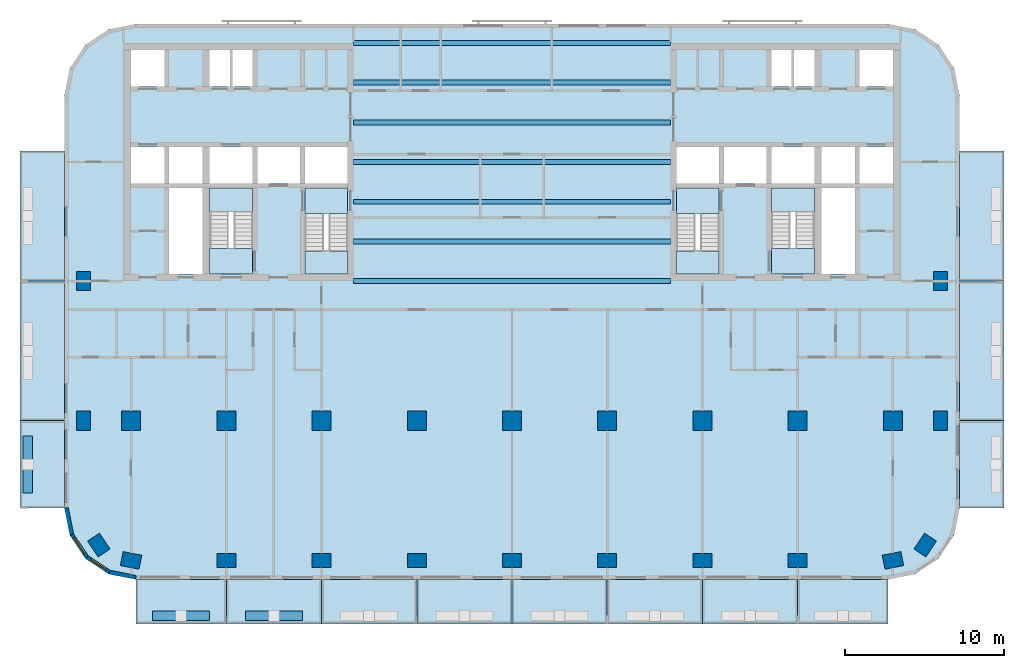
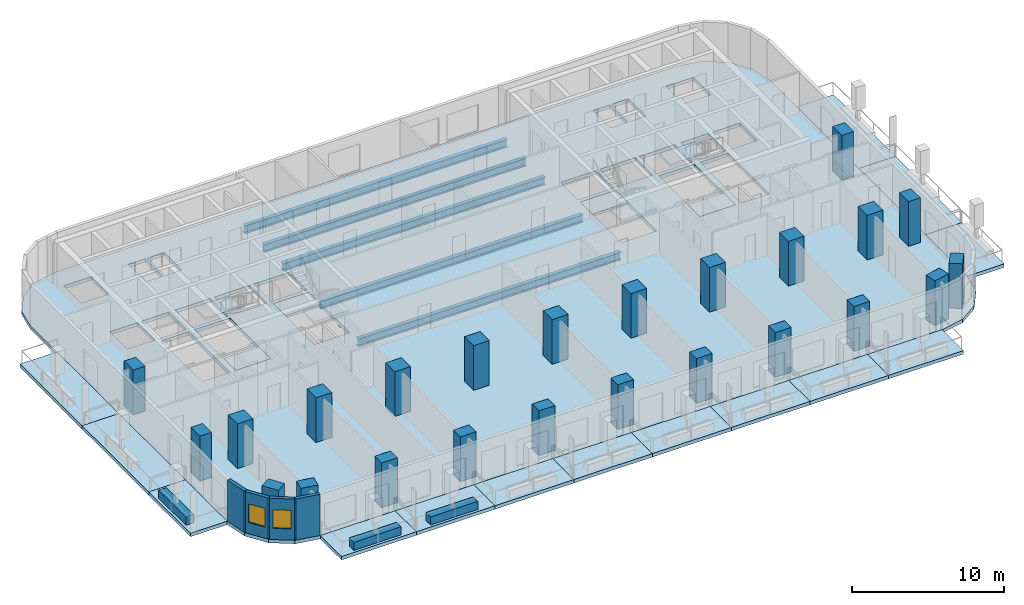
# One storey, part 1 of 11: 24 columns, 23 slabs, 7 beams, 7 walls, 2 windows, 2 openings, 4 elements without a shape of their own.
"""IFC4 building model written with IfcOpenShell, lengths in metres."""

import ifcopenshell
import ifcopenshell.guid

model = None  # the IFC model being written
_history = None  # IfcOwnerHistory: only IFC2X3 demands one
_inside = {}  # id of a spatial element -> (the spatial element, [elements in it])
_under = {}  # id of a project, library or spatial element -> (it, [spatial elements below it])
_declared = {}  # id of a project -> (the project, [libraries it declares])
_typed = {}  # id of a type object -> (the type object, [elements of that type])
_made_of = {}  # id of a material, layer set ... -> (it, [elements and type objects made of it])


def new_model(schema):
    """Start an empty IFC model of exactly this schema.

    Asked for "IFC4X3", IfcOpenShell would pick the latest addendum, in which some entities
    have other attributes; the version numbers below select the first issue.
    IFC2X3 requires an IfcOwnerHistory on every rooted entity: one is made here for all.
    """
    global model, _history
    if schema == "IFC4X3":
        model = ifcopenshell.file(schema_version=(4, 3, 0, 0))
    else:
        model = ifcopenshell.file(schema=schema)
    _inside.clear()
    _under.clear()
    _declared.clear()
    _typed.clear()
    _made_of.clear()
    _history = None
    if model.schema == "IFC2X3":
        org = make("IfcOrganization", Name="unknown")
        user = make(
            "IfcPersonAndOrganization",
            ThePerson=make("IfcPerson", FamilyName="unknown"),
            TheOrganization=org,
        )
        app = make(
            "IfcApplication",
            ApplicationDeveloper=org,
            Version="unknown",
            ApplicationFullName="unknown",
            ApplicationIdentifier="unknown",
        )
        _history = make(
            "IfcOwnerHistory",
            OwningUser=user,
            OwningApplication=app,
            ChangeAction="ADDED",
            CreationDate=0,
        )
    return model


def make(cls, **values):
    """One entity of the class cls with the attributes given. An attribute that is None is left unset."""
    return model.create_entity(
        cls, **{name: value for name, value in values.items() if value is not None}
    )


def rooted(cls, **values):
    """An entity with a GlobalId (a new one), such as an element, a storey or a relation."""
    return make(cls, GlobalId=ifcopenshell.guid.new(), OwnerHistory=_history, **values)


def si_unit(unit_type, name, prefix=None):
    """IfcSIUnit, for example si_unit("LENGTHUNIT", "METRE", prefix="MILLI")."""
    return make("IfcSIUnit", UnitType=unit_type, Prefix=prefix, Name=name)


def assignment(units):
    """IfcUnitAssignment: the units of a project."""
    return None if units is None else make("IfcUnitAssignment", Units=units)


def point(xyz):
    """IfcCartesianPoint."""
    return None if xyz is None else make("IfcCartesianPoint", Coordinates=xyz)


def direction(xyz):
    """IfcDirection."""
    return None if xyz is None else make("IfcDirection", DirectionRatios=xyz)


def frame(location, z_axis=None, x_axis=None):
    """IfcAxis2Placement3D, a coordinate frame: its origin and axes. An axis left out is left unset."""
    return make(
        "IfcAxis2Placement3D",
        Location=point(location),
        Axis=direction(z_axis),
        RefDirection=direction(x_axis),
    )


def frame_2d(location, x_axis=None):
    """IfcAxis2Placement2D, a coordinate frame in the plane: its origin and x axis."""
    return make(
        "IfcAxis2Placement2D", Location=point(location), RefDirection=direction(x_axis)
    )


def origin():
    """The frame at (0, 0, 0) with its axes left unset."""
    return frame((0.0, 0.0, 0.0))


def origin_2d():
    """The frame at (0, 0) in the plane with its x axis left unset."""
    return frame_2d((0.0, 0.0))


def place(relative_to, where):
    """IfcLocalPlacement: puts the frame where relative to a parent placement (None: the world)."""
    return make(
        "IfcLocalPlacement", PlacementRelTo=relative_to, RelativePlacement=where
    )


def context(
    kind, dimensions, precision=None, world=None, true_north=None, identifier=None
):
    """IfcGeometricRepresentationContext, for example the 3D "Model" context."""
    return make(
        "IfcGeometricRepresentationContext",
        ContextIdentifier=identifier,
        ContextType=kind,
        CoordinateSpaceDimension=dimensions,
        Precision=precision,
        WorldCoordinateSystem=world,
        TrueNorth=true_north,
    )


def subcontext(parent, identifier, kind, view, scale=None):
    """IfcGeometricRepresentationSubContext, for example "Body" below "Model"."""
    return make(
        "IfcGeometricRepresentationSubContext",
        ContextIdentifier=identifier,
        ContextType=kind,
        ParentContext=parent,
        TargetScale=scale,
        TargetView=view,
    )


def project(units=None, contexts=None):
    """IfcProject with its units and contexts."""
    return rooted(
        "IfcProject",
        Name="project",
        RepresentationContexts=contexts,
        UnitsInContext=assignment(units),
    )


def spatial(cls, under=None, at=None, **own):
    """A site, building, storey or space (cls), placed at a placement, below another one or the project."""
    s = rooted(cls, ObjectPlacement=at, **own)
    if under is not None:
        _under.setdefault(under.id(), (under, []))[1].append(s)
    return s


def polyline(points):
    """IfcPolyline through the points."""
    return make("IfcPolyline", Points=[point(p) for p in points])


def profile(cls, at=None, kind="AREA", **sizes):
    """A parametric profile (cls). Its sizes go by their IFC names, for example OverallWidth=200.0."""
    return make(cls, ProfileType=kind, Position=at, **sizes)


def rectangle(**sizes):
    """IfcRectangleProfileDef."""
    return profile("IfcRectangleProfileDef", **sizes)


def i_section(**sizes):
    """IfcIShapeProfileDef."""
    return profile("IfcIShapeProfileDef", **sizes)


def outline(outer, holes=None, kind="AREA"):
    """IfcArbitraryClosedProfileDef: a profile drawn as a closed curve; with holes, ...WithVoids."""
    if holes is None:
        return make("IfcArbitraryClosedProfileDef", ProfileType=kind, OuterCurve=outer)
    return make(
        "IfcArbitraryProfileDefWithVoids",
        ProfileType=kind,
        OuterCurve=outer,
        InnerCurves=holes,
    )


def extrude(swept, where, along, depth):
    """IfcExtrudedAreaSolid: the profile swept, set in the frame where, extruded along a direction by depth."""
    return make(
        "IfcExtrudedAreaSolid",
        SweptArea=swept,
        Position=where,
        ExtrudedDirection=direction(along),
        Depth=depth,
    )


def shape(context_of_items, identifier, shape_type, items):
    """IfcShapeRepresentation: the items that make up one representation, for example the "Body"."""
    return make(
        "IfcShapeRepresentation",
        ContextOfItems=context_of_items,
        RepresentationIdentifier=identifier,
        RepresentationType=shape_type,
        Items=items,
    )


def material(Name=None, Category=None):
    """IfcMaterial."""
    return make("IfcMaterial", Name=Name, Category=Category)


def layer(
    of_material, thickness, ventilated=None, Name=None, Category=None, Priority=None
):
    """IfcMaterialLayer: one layer of a wall or slab, of a material (None: an air gap)."""
    return make(
        "IfcMaterialLayer",
        Material=of_material,
        LayerThickness=thickness,
        IsVentilated=ventilated,
        Name=Name,
        Category=Category,
        Priority=Priority,
    )


def layer_set(layers, Name=None):
    """IfcMaterialLayerSet."""
    return make("IfcMaterialLayerSet", MaterialLayers=layers, LayerSetName=Name)


def material_profile(
    of_material, cross_section, Name=None, Category=None, Priority=None
):
    """IfcMaterialProfile: a cross section and its material."""
    return make(
        "IfcMaterialProfile",
        Name=Name,
        Material=of_material,
        Profile=cross_section,
        Priority=Priority,
        Category=Category,
    )


def profile_set(profiles, Name=None, composite=None):
    """IfcMaterialProfileSet."""
    return make(
        "IfcMaterialProfileSet",
        Name=Name,
        MaterialProfiles=profiles,
        CompositeProfile=composite,
    )


def made_of(thing, what):
    """Note that an element or type object is made of a material, layer set ...; save() writes the relation."""
    if what is not None:
        _made_of.setdefault(what.id(), (what, []))[1].append(thing)
    return thing


def type_object(cls, material=None, **own):
    """A type object (cls), such as IfcWallType, which elements share."""
    return made_of(rooted(cls, **own), material)


def element(
    cls,
    number,
    at=None,
    inside=None,
    cuts=None,
    type_object=None,
    material=None,
    context=None,
    identifier="Body",
    shape_type=None,
    held_by="IfcProductDefinitionShape",
    body=None,
    shapes=None,
    **own,
):
    """One element of the class cls, such as IfcWall. Its Tag is "e" and its number.

    at: its placement. inside: the storey or other place that contains it. cuts: it is an
    opening in that element (IfcRelVoidsElement). A single representation is given by context,
    identifier, shape_type and body (its items); several are given by shapes. held_by: the class
    of the entity that holds the representations. save() writes the other relations.
    """
    e = rooted(cls, Tag="e%d" % number, ObjectPlacement=at, **own)
    if body is not None:
        shapes = [shape(context, identifier, shape_type, body)]
    if shapes is not None:
        e.Representation = make(held_by, Representations=shapes)
    if inside is not None:
        _inside.setdefault(inside.id(), (inside, []))[1].append(e)
    if cuts is not None:
        rooted(
            "IfcRelVoidsElement", RelatingBuildingElement=cuts, RelatedOpeningElement=e
        )
    if type_object is not None:
        _typed.setdefault(type_object.id(), (type_object, []))[1].append(e)
    return made_of(e, material)


def fill(opening, filler):
    """IfcRelFillsElement: the door or window that sits in an opening."""
    return rooted(
        "IfcRelFillsElement",
        RelatingOpeningElement=opening,
        RelatedBuildingElement=filler,
    )


def aggregate(whole, parts):
    """IfcRelAggregates: a whole, such as a stair, and the parts it consists of."""
    return rooted("IfcRelAggregates", RelatingObject=whole, RelatedObjects=parts)


def save(model, path):
    """Write the relations noted so far, then the file.

    IfcRelAggregates (storeys below a building ...), IfcRelContainedInSpatialStructure (elements
    in a storey), IfcRelDefinesByType, IfcRelAssociatesMaterial and IfcRelDeclares: one each for
    every whole, place, type object, material and project.
    """
    for whole, parts in _under.values():
        aggregate(whole, parts)
    for where, things in _inside.values():
        rooted(
            "IfcRelContainedInSpatialStructure",
            RelatedElements=things,
            RelatingStructure=where,
        )
    for kind, things in _typed.values():
        rooted("IfcRelDefinesByType", RelatedObjects=things, RelatingType=kind)
    for what, things in _made_of.values():
        rooted("IfcRelAssociatesMaterial", RelatedObjects=things, RelatingMaterial=what)
    for by, libraries in _declared.values():
        rooted("IfcRelDeclares", RelatingContext=by, RelatedDefinitions=libraries)
    model.write(path)


model = new_model("IFC4")

# Units and contexts
model_context = context("Model", 3, precision=1e-05, world=origin(), true_north=direction((0.0, 1.0)))
body_context = subcontext(model_context, "Body", "Model", "MODEL_VIEW")
ifc_project = project(units=[si_unit("LENGTHUNIT", "METRE"), si_unit("AREAUNIT", "SQUARE_METRE"), si_unit("VOLUMEUNIT", "CUBIC_METRE"), si_unit("PLANEANGLEUNIT", "RADIAN"), si_unit("MASSUNIT", "GRAM", prefix="KILO")], contexts=[model_context])

# Site, building, storey
site_placement = place(None, origin())
site = spatial("IfcSite", under=ifc_project, at=site_placement, CompositionType="ELEMENT")
building_placement = place(site_placement, origin())
building = spatial("IfcBuilding", under=site, at=building_placement, Name="Torana Hotel and Residences", CompositionType="ELEMENT")
storey_placement = place(building_placement, frame((0.0, 0.0, 116.39990234375)))
storey = spatial("IfcBuildingStorey", under=building, at=storey_placement, Name="L29", CompositionType="ELEMENT", Elevation=116.39990234375)

# Columns
ifc_material_1 = material(Name="Concrete C70/85", Category="concrete")
ifc_material_profile_1 = material_profile(ifc_material_1, rectangle(XDim=1.199951171875, YDim=1.199951171875, at=origin_2d()), Name="RC 1200x1200")
ifc_profile_set_1 = profile_set([ifc_material_profile_1], Name="Concrete C70/85")
column_type_1 = type_object("IfcColumnType", Name="COLUMN RC 1200x1200 C70/85", PredefinedType="COLUMN", material=ifc_profile_set_1)
for number, where, z_axis, x_axis, name in (
    (1, (-24.0, -23.800048828125, 0.0), (0.0, 0.0, 1.0), (1.0, 0.0, 0.0), "Column L29"),
    (2, (-18.0, -23.800048828125, 0.0), (0.0, 0.0, 1.0), (1.0, 0.0, 0.0), "Column L29"),
    (3, (-12.0, -23.800048828125, 0.0), (0.0, 0.0, 1.0), (1.0, 0.0, 0.0), "Column L29"),
    (4, (-6.0, -23.800048828125, 0.0), (0.0, 0.0, 1.0), (1.0, 0.0, 0.0), "Column L29"),
    (5, (0.0, -23.800048828125, 0.0), (0.0, 0.0, 1.0), (1.0, 0.0, 0.0), "Column L29"),
    (6, (6.0, -23.800048828125, 0.0), (0.0, 0.0, 1.0), (1.0, 0.0, 0.0), "Column L29"),
    (7, (12.0, -23.800048828125, 0.0), (0.0, 0.0, 1.0), (1.0, 0.0, 0.0), "Column L29"),
    (8, (18.0, -23.800048828125, 0.0), (0.0, 0.0, 1.0), (1.0, 0.0, 0.0), "Column L29"),
    (9, (24.0, -23.800048828125, 0.0), (0.0, 0.0, 1.0), (1.0, 0.0, 0.0), "Column L29"),
):
    element("IfcColumn", number, at=place(storey_placement, frame(where, z_axis=z_axis, x_axis=x_axis)), inside=storey, type_object=column_type_1, Name=name, PredefinedType="COLUMN", context=body_context, shape_type="SweptSolid", body=[
        extrude(rectangle(XDim=1.199951171875, YDim=1.199951171875, at=origin_2d()), origin(), (0.0, 0.0, 1.0), 3.60009765625),
    ])
ifc_material_2 = material(Name="Concrete C70/85", Category="concrete")
ifc_material_profile_2 = material_profile(ifc_material_2, rectangle(XDim=1.199951171875, YDim=0.89990234375, at=origin_2d()), Name="RC 1200x900")
ifc_profile_set_2 = profile_set([ifc_material_profile_2], Name="Concrete C70/85")
column_type_2 = type_object("IfcColumnType", Name="COLUMN RC 1200x900 C70/85", PredefinedType="COLUMN", material=ifc_profile_set_2)
for number, where, z_axis, x_axis, name in (
    (10, (-27.0, -23.800048828125, 0.0), (0.0, 0.0, 1.0), (0.0, 1.0, 0.0), "Column L29"),
    (11, (-27.0, -15.0, 0.0), (0.0, 0.0, 1.0), (0.0, 1.0, 0.0), "Column L29"),
    (12, (-26.032958984375, -31.633056640625, 0.0), (0.0, 0.0, 1.0), (-0.555584744817, 0.831459915646, 0.0), "Column L29"),
    (13, (-24.0, -32.60009765625, 0.0), (0.0, 0.0, 1.0), (-0.980792089743, 0.195056086032, 0.0), "Column L29"),
    (14, (-18.0, -32.60009765625, 0.0), (0.0, 0.0, 1.0), (1.0, 0.0, 0.0), "Column L29"),
    (15, (-12.0, -32.60009765625, 0.0), (0.0, 0.0, 1.0), (1.0, 0.0, 0.0), "Column L29"),
    (16, (-6.0, -32.60009765625, 0.0), (0.0, 0.0, 1.0), (1.0, 0.0, 0.0), "Column L29"),
    (17, (0.0, -32.60009765625, 0.0), (0.0, 0.0, 1.0), (1.0, 0.0, 0.0), "Column L29"),
    (18, (6.0, -32.60009765625, 0.0), (0.0, 0.0, 1.0), (1.0, 0.0, 0.0), "Column L29"),
    (19, (12.0, -32.60009765625, 0.0), (0.0, 0.0, 1.0), (1.0, 0.0, 0.0), "Column L29"),
    (20, (18.0, -32.60009765625, 0.0), (0.0, 0.0, 1.0), (1.0, 0.0, 0.0), "Column L29"),
    (21, (24.0, -32.60009765625, 0.0), (0.0, 0.0, 1.0), (0.980792089743, 0.195056086032, 0.0), "Column L29"),
    (22, (26.032958984375, -31.633056640625, 0.0), (0.0, 0.0, 1.0), (0.555584744817, 0.831459915646, 0.0), "Column L29"),
    (23, (27.0, -23.800048828125, 0.0), (0.0, 0.0, 1.0), (0.0, 1.0, 0.0), "Column L29"),
    (24, (27.0, -15.0, 0.0), (0.0, 0.0, 1.0), (0.0, 1.0, 0.0), "Column L29"),
):
    element("IfcColumn", number, at=place(storey_placement, frame(where, z_axis=z_axis, x_axis=x_axis)), inside=storey, type_object=column_type_2, Name=name, PredefinedType="COLUMN", context=body_context, shape_type="SweptSolid", body=[
        extrude(rectangle(XDim=1.199951171875, YDim=0.89990234375, at=origin_2d()), origin(), (0.0, 0.0, 1.0), 3.60009765625),
    ])

# Beams
ifc_material_3 = material(Name="Steel S355", Category="steel")
ifc_material_profile_3 = material_profile(ifc_material_3, i_section(OverallWidth=0.311279296875, OverallDepth=0.6357421875, WebThickness=0.018310546875, FlangeThickness=0.031494140625, FilletRadius=0.0166015625, at=origin_2d()), Name="610x305x238 UB")
ifc_profile_set_3 = profile_set([ifc_material_profile_3], Name="Steel S355")
beam_type = type_object("IfcBeamType", Name="STEEL GIRDER 610x305x238 UB", PredefinedType="BEAM", material=ifc_profile_set_3)
for number, where, z_axis, x_axis, name in (
    (25, (-10.0, -15.0, -0.597900390625), (1.0, 0.0, 0.0), (0.0, 1.0, 0.0), "Floor girder"),
    (26, (-10.0, -12.5, -0.597900390625), (1.0, 0.0, 0.0), (0.0, 1.0, 0.0), "Floor girder"),
    (27, (-10.0, -10.0, -0.597900390625), (1.0, 0.0, 0.0), (0.0, 1.0, 0.0), "Floor girder"),
    (28, (-10.0, -7.5, -0.597900390625), (1.0, 0.0, 0.0), (0.0, 1.0, 0.0), "Floor girder"),
    (29, (-10.0, -5.0, -0.597900390625), (1.0, 0.0, 0.0), (0.0, 1.0, 0.0), "Floor girder"),
    (30, (-10.0, -2.5, -0.597900390625), (1.0, 0.0, 0.0), (0.0, 1.0, 0.0), "Floor girder"),
    (31, (-10.0, 0.0, -0.597900390625), (1.0, 0.0, 0.0), (0.0, 1.0, 0.0), "Floor girder"),
):
    element("IfcBeam", number, at=place(storey_placement, frame(where, z_axis=z_axis, x_axis=x_axis)), inside=storey, type_object=beam_type, Name=name, PredefinedType="BEAM", context=body_context, shape_type="SweptSolid", body=[
        extrude(i_section(OverallWidth=0.311279296875, OverallDepth=0.6357421875, WebThickness=0.018310546875, FlangeThickness=0.031494140625, FilletRadius=0.0166015625, at=origin_2d()), origin(), (0.0, 0.0, 1.0), 20.0),
    ])

# Slabs
ifc_material_4 = material(Name="Concrete C40/50", Category="concrete")
ifc_layer_1 = layer(ifc_material_4, 0.280029296875)
ifc_layer_set_1 = layer_set([ifc_layer_1], Name="BAL1 BALCONY SLAB 280")
slab_type_1 = type_object("IfcSlabType", Name="BAL1 BALCONY SLAB 280", PredefinedType="USERDEFINED", material=ifc_layer_set_1)
slab_1_placement = place(storey_placement, frame((0.0, 0.0, -0.27978515625)))
element("IfcSlab", 32, at=slab_1_placement, inside=storey, type_object=slab_type_1, Name="Balcony 01", ObjectType="BALCONY", PredefinedType="USERDEFINED", context=body_context, shape_type="SweptSolid", body=[
    extrude(outline(polyline([(-23.699951171875, -36.60009765625), (-18.0, -36.60009765625), (-18.0, -33.800048828125), (-23.699951171875, -33.800048828125), (-23.699951171875, -36.60009765625)])), origin(), (0.0, 0.0, 1.0), 0.27978515625),
])
slab_2_placement = place(storey_placement, frame((0.0, 0.0, -0.27978515625)))
element("IfcSlab", 33, at=slab_2_placement, inside=storey, type_object=slab_type_1, Name="Balcony 02", ObjectType="BALCONY", PredefinedType="USERDEFINED", context=body_context, shape_type="SweptSolid", body=[
    extrude(outline(polyline([(-18.0, -36.60009765625), (-12.0, -36.60009765625), (-12.0, -33.800048828125), (-18.0, -33.800048828125), (-18.0, -36.60009765625)])), origin(), (0.0, 0.0, 1.0), 0.27978515625),
])
slab_3_placement = place(storey_placement, frame((0.0, 0.0, -0.27978515625)))
element("IfcSlab", 34, at=slab_3_placement, inside=storey, type_object=slab_type_1, Name="Balcony 03", ObjectType="BALCONY", PredefinedType="USERDEFINED", context=body_context, shape_type="SweptSolid", body=[
    extrude(outline(polyline([(-12.0, -36.60009765625), (-6.0, -36.60009765625), (-6.0, -33.800048828125), (-12.0, -33.800048828125), (-12.0, -36.60009765625)])), origin(), (0.0, 0.0, 1.0), 0.27978515625),
])
slab_4_placement = place(storey_placement, frame((0.0, 0.0, -0.27978515625)))
element("IfcSlab", 35, at=slab_4_placement, inside=storey, type_object=slab_type_1, Name="Balcony 04", ObjectType="BALCONY", PredefinedType="USERDEFINED", context=body_context, shape_type="SweptSolid", body=[
    extrude(outline(polyline([(-6.0, -36.60009765625), (0.0, -36.60009765625), (0.0, -33.800048828125), (-6.0, -33.800048828125), (-6.0, -36.60009765625)])), origin(), (0.0, 0.0, 1.0), 0.27978515625),
])
slab_5_placement = place(storey_placement, frame((0.0, 0.0, -0.27978515625)))
element("IfcSlab", 36, at=slab_5_placement, inside=storey, type_object=slab_type_1, Name="Balcony 05", ObjectType="BALCONY", PredefinedType="USERDEFINED", context=body_context, shape_type="SweptSolid", body=[
    extrude(outline(polyline([(0.0, -36.60009765625), (6.0, -36.60009765625), (6.0, -33.800048828125), (0.0, -33.800048828125), (0.0, -36.60009765625)])), origin(), (0.0, 0.0, 1.0), 0.27978515625),
])
slab_6_placement = place(storey_placement, frame((0.0, 0.0, -0.27978515625)))
element("IfcSlab", 37, at=slab_6_placement, inside=storey, type_object=slab_type_1, Name="Balcony 06", ObjectType="BALCONY", PredefinedType="USERDEFINED", context=body_context, shape_type="SweptSolid", body=[
    extrude(outline(polyline([(6.0, -36.60009765625), (12.0, -36.60009765625), (12.0, -33.800048828125), (6.0, -33.800048828125), (6.0, -36.60009765625)])), origin(), (0.0, 0.0, 1.0), 0.27978515625),
])
slab_7_placement = place(storey_placement, frame((0.0, 0.0, -0.27978515625)))
element("IfcSlab", 38, at=slab_7_placement, inside=storey, type_object=slab_type_1, Name="Balcony 07", ObjectType="BALCONY", PredefinedType="USERDEFINED", context=body_context, shape_type="SweptSolid", body=[
    extrude(outline(polyline([(12.0, -36.60009765625), (18.0, -36.60009765625), (18.0, -33.800048828125), (12.0, -33.800048828125), (12.0, -36.60009765625)])), origin(), (0.0, 0.0, 1.0), 0.27978515625),
])
slab_8_placement = place(storey_placement, frame((0.0, 0.0, -0.27978515625)))
element("IfcSlab", 39, at=slab_8_placement, inside=storey, type_object=slab_type_1, Name="Balcony 08", ObjectType="BALCONY", PredefinedType="USERDEFINED", context=body_context, shape_type="SweptSolid", body=[
    extrude(outline(polyline([(18.0, -36.60009765625), (23.699951171875, -36.60009765625), (23.699951171875, -33.800048828125), (18.0, -33.800048828125), (18.0, -36.60009765625)])), origin(), (0.0, 0.0, 1.0), 0.27978515625),
])
slab_9_placement = place(storey_placement, frame((0.0, 0.0, -0.27978515625)))
element("IfcSlab", 40, at=slab_9_placement, inside=storey, type_object=slab_type_1, Name="Balcony 09", ObjectType="BALCONY", PredefinedType="USERDEFINED", context=body_context, shape_type="SweptSolid", body=[
    extrude(outline(polyline([(-31.0, -29.300048828125), (-28.199951171875, -29.300048828125), (-28.199951171875, -23.800048828125), (-31.0, -23.800048828125), (-31.0, -29.300048828125)])), origin(), (0.0, 0.0, 1.0), 0.27978515625),
])
slab_10_placement = place(storey_placement, frame((0.0, 0.0, -0.27978515625)))
element("IfcSlab", 41, at=slab_10_placement, inside=storey, type_object=slab_type_1, Name="Balcony 10", ObjectType="BALCONY", PredefinedType="USERDEFINED", context=body_context, shape_type="SweptSolid", body=[
    extrude(outline(polyline([(-31.0, -23.800048828125), (-28.199951171875, -23.800048828125), (-28.199951171875, -15.0), (-31.0, -15.0), (-31.0, -23.800048828125)])), origin(), (0.0, 0.0, 1.0), 0.27978515625),
])
slab_11_placement = place(storey_placement, frame((0.0, 0.0, -0.27978515625)))
element("IfcSlab", 42, at=slab_11_placement, inside=storey, type_object=slab_type_1, Name="Balcony 11", ObjectType="BALCONY", PredefinedType="USERDEFINED", context=body_context, shape_type="SweptSolid", body=[
    extrude(outline(polyline([(-31.0, -15.0), (-28.199951171875, -15.0), (-28.199951171875, -6.800048828125), (-31.0, -6.800048828125), (-31.0, -15.0)])), origin(), (0.0, 0.0, 1.0), 0.27978515625),
])
slab_12_placement = place(storey_placement, frame((0.0, 0.0, -0.27978515625)))
element("IfcSlab", 43, at=slab_12_placement, inside=storey, type_object=slab_type_1, Name="Balcony 12", ObjectType="BALCONY", PredefinedType="USERDEFINED", context=body_context, shape_type="SweptSolid", body=[
    extrude(outline(polyline([(28.199951171875, -29.300048828125), (31.0, -29.300048828125), (31.0, -23.800048828125), (28.199951171875, -23.800048828125), (28.199951171875, -29.300048828125)])), origin(), (0.0, 0.0, 1.0), 0.27978515625),
])
slab_13_placement = place(storey_placement, frame((0.0, 0.0, -0.27978515625)))
element("IfcSlab", 44, at=slab_13_placement, inside=storey, type_object=slab_type_1, Name="Balcony 13", ObjectType="BALCONY", PredefinedType="USERDEFINED", context=body_context, shape_type="SweptSolid", body=[
    extrude(outline(polyline([(28.199951171875, -23.800048828125), (31.0, -23.800048828125), (31.0, -15.0), (28.199951171875, -15.0), (28.199951171875, -23.800048828125)])), origin(), (0.0, 0.0, 1.0), 0.27978515625),
])
slab_14_placement = place(storey_placement, frame((0.0, 0.0, -0.27978515625)))
element("IfcSlab", 45, at=slab_14_placement, inside=storey, type_object=slab_type_1, Name="Balcony 14", ObjectType="BALCONY", PredefinedType="USERDEFINED", context=body_context, shape_type="SweptSolid", body=[
    extrude(outline(polyline([(28.199951171875, -15.0), (31.0, -15.0), (31.0, -6.800048828125), (28.199951171875, -6.800048828125), (28.199951171875, -15.0)])), origin(), (0.0, 0.0, 1.0), 0.27978515625),
])
ifc_material_5 = material(Name="Concrete C40/50", Category="concrete")
ifc_layer_2 = layer(ifc_material_5, 0.280029296875)
ifc_layer_set_2 = layer_set([ifc_layer_2], Name="FLOOR SLAB PT 280")
slab_type_2 = type_object("IfcSlabType", Name="FLOOR SLAB PT 280", PredefinedType="FLOOR", material=ifc_layer_set_2)
slab_15_placement = place(storey_placement, frame((0.0, 0.0, -0.27978515625)))
element("IfcSlab", 46, at=slab_15_placement, inside=storey, type_object=slab_type_2, Name="Floor slab", PredefinedType="FLOOR", context=body_context, shape_type="SweptSolid", body=[
    extrude(outline(polyline([(28.199951171875, -3.300048828125), (27.857421875, -1.577880859375), (26.882080078125, -0.117919921875), (25.422119140625, 0.857421875), (23.699951171875, 1.199951171875), (-23.699951171875, 1.199951171875), (-25.422119140625, 0.857421875), (-26.882080078125, -0.117919921875), (-27.857421875, -1.577880859375), (-28.199951171875, -3.300048828125), (-28.199951171875, -29.300048828125), (-27.857421875, -31.022216796875), (-26.882080078125, -32.48193359375), (-25.422119140625, -33.45751953125), (-23.699951171875, -33.800048828125), (23.699951171875, -33.800048828125), (25.422119140625, -33.45751953125), (26.882080078125, -32.48193359375), (27.857421875, -31.022216796875), (28.199951171875, -29.300048828125), (28.199951171875, -3.300048828125)]), holes=[polyline([(-13.050048828125, -14.550048828125), (-10.35009765625, -14.550048828125), (-10.35009765625, -9.14990234375), (-13.050048828125, -9.14990234375), (-13.050048828125, -14.550048828125)]), polyline([(-19.050048828125, -14.550048828125), (-16.35009765625, -14.550048828125), (-16.35009765625, -9.14990234375), (-19.050048828125, -9.14990234375), (-19.050048828125, -14.550048828125)]), polyline([(-17.625, -2.75), (-16.35009765625, -2.75), (-16.35009765625, -0.449951171875), (-17.625, -0.449951171875), (-17.625, -2.75)]), polyline([(-19.050048828125, -2.75), (-17.77490234375, -2.75), (-17.77490234375, -0.449951171875), (-19.050048828125, -0.449951171875), (-19.050048828125, -2.75)]), polyline([(-21.60009765625, -8.85009765625), (-19.5, -8.85009765625), (-19.5, -6.550048828125), (-21.60009765625, -6.550048828125), (-21.60009765625, -8.85009765625)]), polyline([(-24.0, -2.75), (-21.89990234375, -2.75), (-21.89990234375, -0.449951171875), (-24.0, -0.449951171875), (-24.0, -2.75)]), polyline([(-24.0, -8.85009765625), (-21.89990234375, -8.85009765625), (-21.89990234375, -6.550048828125), (-24.0, -6.550048828125), (-24.0, -8.85009765625)]), polyline([(-13.050048828125, -8.85009765625), (-10.35009765625, -8.85009765625), (-10.35009765625, -6.550048828125), (-13.050048828125, -6.550048828125), (-13.050048828125, -8.85009765625)]), polyline([(-16.050048828125, -8.85009765625), (-13.35009765625, -8.85009765625), (-13.35009765625, -6.550048828125), (-16.050048828125, -6.550048828125), (-16.050048828125, -8.85009765625)]), polyline([(-19.050048828125, -8.85009765625), (-16.35009765625, -8.85009765625), (-16.35009765625, -6.550048828125), (-19.050048828125, -6.550048828125), (-19.050048828125, -8.85009765625)]), polyline([(-21.60009765625, -14.550048828125), (-19.5, -14.550048828125), (-19.5, -9.14990234375), (-21.60009765625, -9.14990234375), (-21.60009765625, -14.550048828125)]), polyline([(10.35009765625, -14.550048828125), (13.050048828125, -14.550048828125), (13.050048828125, -9.14990234375), (10.35009765625, -9.14990234375), (10.35009765625, -14.550048828125)]), polyline([(16.35009765625, -14.550048828125), (19.050048828125, -14.550048828125), (19.050048828125, -9.14990234375), (16.35009765625, -9.14990234375), (16.35009765625, -14.550048828125)]), polyline([(16.35009765625, -2.75), (17.625, -2.75), (17.625, -0.449951171875), (16.35009765625, -0.449951171875), (16.35009765625, -2.75)]), polyline([(17.77490234375, -2.75), (19.050048828125, -2.75), (19.050048828125, -0.449951171875), (17.77490234375, -0.449951171875), (17.77490234375, -2.75)]), polyline([(19.5, -8.85009765625), (21.60009765625, -8.85009765625), (21.60009765625, -6.550048828125), (19.5, -6.550048828125), (19.5, -8.85009765625)]), polyline([(21.89990234375, -2.75), (24.0, -2.75), (24.0, -0.449951171875), (21.89990234375, -0.449951171875), (21.89990234375, -2.75)]), polyline([(21.89990234375, -8.85009765625), (24.0, -8.85009765625), (24.0, -6.550048828125), (21.89990234375, -6.550048828125), (21.89990234375, -8.85009765625)]), polyline([(10.35009765625, -8.85009765625), (13.050048828125, -8.85009765625), (13.050048828125, -6.550048828125), (10.35009765625, -6.550048828125), (10.35009765625, -8.85009765625)]), polyline([(13.35009765625, -8.85009765625), (16.050048828125, -8.85009765625), (16.050048828125, -6.550048828125), (13.35009765625, -6.550048828125), (13.35009765625, -8.85009765625)]), polyline([(16.35009765625, -8.85009765625), (19.050048828125, -8.85009765625), (19.050048828125, -6.550048828125), (16.35009765625, -6.550048828125), (16.35009765625, -8.85009765625)]), polyline([(19.5, -14.550048828125), (21.60009765625, -14.550048828125), (21.60009765625, -9.14990234375), (19.5, -9.14990234375), (19.5, -14.550048828125)])]), origin(), (0.0, 0.0, 1.0), 0.27978515625),
])

# Stair, slabs
ifc_material_6 = material(Name="Concrete C40/50 precast", Category="concrete")
stair_type_1 = type_object("IfcStairType", Name="STAIR ST1 HALF TURN 1200", PredefinedType="HALF_TURN_STAIR", material=ifc_material_6)
stair_1_placement = place(storey_placement, origin())
stair_1 = element("IfcStair", 47, at=stair_1_placement, inside=storey, type_object=stair_type_1, Name="Stair ST1 L29", PredefinedType="HALF_TURN_STAIR")
ifc_material_7 = material(Name="Concrete C40/50 precast", Category="concrete")
ifc_layer_3 = layer(ifc_material_7, 0.199951171875)
ifc_layer_set_3 = layer_set([ifc_layer_3], Name="STAIR LANDING 200")
slab_type_3 = type_object("IfcSlabType", Name="STAIR LANDING 200", PredefinedType="LANDING", material=ifc_layer_set_3)
slab_16_placement = place(storey_placement, frame((0.0, 0.0, 1.60009765625)))
slab_16 = element("IfcSlab", 48, at=slab_16_placement, type_object=slab_type_3, Name="ST1 landing 1", PredefinedType="LANDING", context=body_context, shape_type="SweptSolid", body=[
    extrude(outline(polyline([(-13.050048828125, -14.550048828125), (-10.35009765625, -14.550048828125), (-10.35009765625, -13.090087890625), (-13.050048828125, -13.090087890625), (-13.050048828125, -14.550048828125)])), origin(), (0.0, 0.0, 1.0), 0.199951171875),
])
slab_17_placement = place(storey_placement, frame((0.0, 0.0, -0.199951171875)))
slab_17 = element("IfcSlab", 49, at=slab_17_placement, type_object=slab_type_3, Name="ST1 landing 2", PredefinedType="LANDING", context=body_context, shape_type="SweptSolid", body=[
    extrude(outline(polyline([(-13.050048828125, -10.75), (-10.35009765625, -10.75), (-10.35009765625, -9.14990234375), (-13.050048828125, -9.14990234375), (-13.050048828125, -10.75)])), origin(), (0.0, 0.0, 1.0), 0.199951171875),
])
aggregate(stair_1, [slab_16, slab_17])

ifc_material_8 = material(Name="Concrete C40/50 precast", Category="concrete")
stair_type_2 = type_object("IfcStairType", Name="STAIR ST2 HALF TURN 1200", PredefinedType="HALF_TURN_STAIR", material=ifc_material_8)
stair_2_placement = place(storey_placement, origin())
stair_2 = element("IfcStair", 50, at=stair_2_placement, inside=storey, type_object=stair_type_2, Name="Stair ST2 L29", PredefinedType="HALF_TURN_STAIR")
slab_18_placement = place(storey_placement, frame((0.0, 0.0, 1.60009765625)))
slab_18 = element("IfcSlab", 51, at=slab_18_placement, type_object=slab_type_3, Name="ST2 landing 1", PredefinedType="LANDING", context=body_context, shape_type="SweptSolid", body=[
    extrude(outline(polyline([(-19.050048828125, -10.610107421875), (-16.35009765625, -10.610107421875), (-16.35009765625, -9.14990234375), (-19.050048828125, -9.14990234375), (-19.050048828125, -10.610107421875)])), origin(), (0.0, 0.0, 1.0), 0.199951171875),
])
slab_19_placement = place(storey_placement, frame((0.0, 0.0, -0.199951171875)))
slab_19 = element("IfcSlab", 52, at=slab_19_placement, type_object=slab_type_3, Name="ST2 landing 2", PredefinedType="LANDING", context=body_context, shape_type="SweptSolid", body=[
    extrude(outline(polyline([(-19.050048828125, -14.550048828125), (-16.35009765625, -14.550048828125), (-16.35009765625, -12.949951171875), (-19.050048828125, -12.949951171875), (-19.050048828125, -14.550048828125)])), origin(), (0.0, 0.0, 1.0), 0.199951171875),
])
aggregate(stair_2, [slab_18, slab_19])

ifc_material_9 = material(Name="Concrete C40/50 precast", Category="concrete")
stair_type_3 = type_object("IfcStairType", Name="STAIR ST3 HALF TURN 1200", PredefinedType="HALF_TURN_STAIR", material=ifc_material_9)
stair_3_placement = place(storey_placement, origin())
stair_3 = element("IfcStair", 53, at=stair_3_placement, inside=storey, type_object=stair_type_3, Name="Stair ST3 L29", PredefinedType="HALF_TURN_STAIR")
slab_20_placement = place(storey_placement, frame((0.0, 0.0, 1.60009765625)))
slab_20 = element("IfcSlab", 54, at=slab_20_placement, type_object=slab_type_3, Name="ST3 landing 1", PredefinedType="LANDING", context=body_context, shape_type="SweptSolid", body=[
    extrude(outline(polyline([(10.35009765625, -14.550048828125), (13.050048828125, -14.550048828125), (13.050048828125, -13.090087890625), (10.35009765625, -13.090087890625), (10.35009765625, -14.550048828125)])), origin(), (0.0, 0.0, 1.0), 0.199951171875),
])
slab_21_placement = place(storey_placement, frame((0.0, 0.0, -0.199951171875)))
slab_21 = element("IfcSlab", 55, at=slab_21_placement, type_object=slab_type_3, Name="ST3 landing 2", PredefinedType="LANDING", context=body_context, shape_type="SweptSolid", body=[
    extrude(outline(polyline([(10.35009765625, -10.75), (13.050048828125, -10.75), (13.050048828125, -9.14990234375), (10.35009765625, -9.14990234375), (10.35009765625, -10.75)])), origin(), (0.0, 0.0, 1.0), 0.199951171875),
])
aggregate(stair_3, [slab_20, slab_21])

ifc_material_10 = material(Name="Concrete C40/50 precast", Category="concrete")
stair_type_4 = type_object("IfcStairType", Name="STAIR ST4 HALF TURN 1200", PredefinedType="HALF_TURN_STAIR", material=ifc_material_10)
stair_4_placement = place(storey_placement, origin())
stair_4 = element("IfcStair", 56, at=stair_4_placement, inside=storey, type_object=stair_type_4, Name="Stair ST4 L29", PredefinedType="HALF_TURN_STAIR")
slab_22_placement = place(storey_placement, frame((0.0, 0.0, 1.60009765625)))
slab_22 = element("IfcSlab", 57, at=slab_22_placement, type_object=slab_type_3, Name="ST4 landing 1", PredefinedType="LANDING", context=body_context, shape_type="SweptSolid", body=[
    extrude(outline(polyline([(16.35009765625, -10.610107421875), (19.050048828125, -10.610107421875), (19.050048828125, -9.14990234375), (16.35009765625, -9.14990234375), (16.35009765625, -10.610107421875)])), origin(), (0.0, 0.0, 1.0), 0.199951171875),
])
slab_23_placement = place(storey_placement, frame((0.0, 0.0, -0.199951171875)))
slab_23 = element("IfcSlab", 58, at=slab_23_placement, type_object=slab_type_3, Name="ST4 landing 2", PredefinedType="LANDING", context=body_context, shape_type="SweptSolid", body=[
    extrude(outline(polyline([(16.35009765625, -14.550048828125), (19.050048828125, -14.550048828125), (19.050048828125, -12.949951171875), (16.35009765625, -12.949951171875), (16.35009765625, -14.550048828125)])), origin(), (0.0, 0.0, 1.0), 0.199951171875),
])
aggregate(stair_4, [slab_22, slab_23])

# Wall
ifc_material_11 = material(Name="Black aluminium composite panel", Category="aluminium")
ifc_layer_4 = layer(ifc_material_11, 0.00390625, Name="Cladding", Category="cladding")
ifc_material_12 = material(Name="Ventilated air cavity")
ifc_layer_5 = layer(ifc_material_12, 0.0400390625, Name="Ventilated cavity", Category="cavity")
ifc_material_13 = material(Name="Mineral wool insulation")
ifc_layer_6 = layer(ifc_material_13, 0.090087890625, Name="Insulation", Category="insulation")
ifc_material_14 = material(Name="Steel S280GD", Category="steel")
ifc_layer_7 = layer(ifc_material_14, 0.092041015625, Name="Steel stud frame", Category="structure")
ifc_material_15 = material(Name="Fire rated plasterboard")
ifc_layer_8 = layer(ifc_material_15, 0.011962890625, Name="Inner board", Category="finish")
ifc_layer_9 = layer(ifc_material_15, 0.011962890625, Name="Second board", Category="finish")
ifc_layer_set_4 = layer_set([ifc_layer_4, ifc_layer_5, ifc_layer_6, ifc_layer_7, ifc_layer_8, ifc_layer_9], Name="EW1 EXTERNAL WALL BLACK METAL CLAD 250")
wall_type_1 = type_object("IfcWallType", Name="EW1 EXTERNAL WALL BLACK METAL CLAD 250", PredefinedType="SOLIDWALL", material=ifc_layer_set_4)
wall_1_placement = place(storey_placement, frame((-28.072509765625, -29.2998046875, 0.0), z_axis=(0.0, 0.0, 1.0), x_axis=(0.194999110559, -0.980803419081, 0.0)))
element("IfcWall", 59, at=wall_1_placement, inside=storey, type_object=wall_type_1, Name="External wall L29 e0.10", PredefinedType="SOLIDWALL", context=body_context, shape_type="SweptSolid", body=[
    extrude(rectangle(XDim=1.681396484375, YDim=0.25, at=frame_2d((0.8408203125, 0.0))), origin(), (0.0, 0.0, 1.0), 3.320068359375),
])

# Wall, opening, window
wall_2_placement = place(storey_placement, frame((-27.725830078125, -30.993896484375, 0.0), z_axis=(0.0, 0.0, 1.0), x_axis=(0.55555029066, -0.831482937015, 0.0)))
wall_2 = element("IfcWall", 60, at=wall_2_placement, inside=storey, type_object=wall_type_1, Name="External wall L29 e0.11", PredefinedType="SOLIDWALL", context=body_context, shape_type="SweptSolid", body=[
    extrude(rectangle(XDim=1.65625, YDim=0.25, at=frame_2d((0.828125, 0.0))), origin(), (0.0, 0.0, 1.0), 3.320068359375),
])
opening_1_placement = place(wall_2_placement, frame((0.228271484375, 0.0, 0.89990234375)))
opening_1 = element("IfcOpeningElement", 61, at=opening_1_placement, cuts=wall_2, Name="Opening W5", PredefinedType="OPENING", context=body_context, shape_type="SweptSolid", body=[
    extrude(rectangle(XDim=1.199951171875, YDim=1.5, at=frame_2d((0.60009765625, 0.75))), frame((0.0, 0.135009765625, 0.0), z_axis=(0.0, -1.0, 0.0), x_axis=(1.0, 0.0, 0.0)), (0.0, 0.0, 1.0), 0.27001953125),
])
ifc_material_16 = material(Name="Dark glass in black aluminium frame", Category="aluminium")
window_type = type_object("IfcWindowType", Name="W5 CORNER FACET WINDOW 1200x1500", PartitioningType="SINGLE_PANEL", PredefinedType="WINDOW", material=ifc_material_16)
window_1_placement = place(opening_1_placement, origin())
window_1 = element("IfcWindow", 62, at=window_1_placement, inside=storey, type_object=window_type, Name="Window L29 e0.11", OverallHeight=1.5, OverallWidth=1.199951171875, PartitioningType="SINGLE_PANEL", PredefinedType="WINDOW", context=body_context, shape_type="SweptSolid", body=[
    extrude(rectangle(XDim=1.199951171875, YDim=1.5, at=frame_2d((0.60009765625, 0.75))), frame((0.0, 0.030029296875, 0.0), z_axis=(0.0, -1.0, 0.0), x_axis=(1.0, 0.0, 0.0)), (0.0, 0.0, 1.0), 0.06005859375),
])
fill(opening_1, window_1)

wall_3_placement = place(storey_placement, frame((-26.771240234375, -32.40576171875, 0.0), z_axis=(0.0, 0.0, 1.0), x_axis=(0.831482937015, -0.55555029066, 0.0)))
wall_3 = element("IfcWall", 63, at=wall_3_placement, inside=storey, type_object=wall_type_1, Name="External wall L29 e0.12", PredefinedType="SOLIDWALL", context=body_context, shape_type="SweptSolid", body=[
    extrude(rectangle(XDim=1.65625, YDim=0.25, at=frame_2d((0.828125, 0.0))), origin(), (0.0, 0.0, 1.0), 3.320068359375),
])
opening_2_placement = place(wall_3_placement, frame((0.228271484375, 0.0, 0.89990234375)))
opening_2 = element("IfcOpeningElement", 64, at=opening_2_placement, cuts=wall_3, Name="Opening W5", PredefinedType="OPENING", context=body_context, shape_type="SweptSolid", body=[
    extrude(rectangle(XDim=1.199951171875, YDim=1.5, at=frame_2d((0.60009765625, 0.75))), frame((0.0, 0.135009765625, 0.0), z_axis=(0.0, -1.0, 0.0), x_axis=(1.0, 0.0, 0.0)), (0.0, 0.0, 1.0), 0.27001953125),
])
window_2_placement = place(opening_2_placement, origin())
window_2 = element("IfcWindow", 65, at=window_2_placement, inside=storey, type_object=window_type, Name="Window L29 e0.12", OverallHeight=1.5, OverallWidth=1.199951171875, PartitioningType="SINGLE_PANEL", PredefinedType="WINDOW", context=body_context, shape_type="SweptSolid", body=[
    extrude(rectangle(XDim=1.199951171875, YDim=1.5, at=frame_2d((0.60009765625, 0.75))), frame((0.0, 0.030029296875, 0.0), z_axis=(0.0, -1.0, 0.0), x_axis=(1.0, 0.0, 0.0)), (0.0, 0.0, 1.0), 0.06005859375),
])
fill(opening_2, window_2)

# Walls
wall_4_placement = place(storey_placement, frame((-25.348876953125, -33.344482421875, 0.0), z_axis=(0.0, 0.0, 1.0), x_axis=(0.980775640221, -0.19513878023, 0.0)))
element("IfcWall", 66, at=wall_4_placement, inside=storey, type_object=wall_type_1, Name="External wall L29 e0.13", PredefinedType="SOLIDWALL", context=body_context, shape_type="SweptSolid", body=[
    extrude(rectangle(XDim=1.681396484375, YDim=0.25, at=frame_2d((0.8408203125, 0.0))), origin(), (0.0, 0.0, 1.0), 3.320068359375),
])
ifc_material_17 = material(Name="Concrete C40/50 precast", Category="concrete")
ifc_layer_10 = layer(ifc_material_17, 0.10009765625, Name="Planter shell", Category="structure")
ifc_material_18 = material(Name="Root resistant membrane")
ifc_layer_11 = layer(ifc_material_18, 0.00390625, Name="Waterproofing membrane", Category="membrane")
ifc_material_19 = material(Name="Drainage board with filter fleece")
ifc_layer_12 = layer(ifc_material_19, 0.02001953125, Name="Drainage board", Category="drainage")
ifc_material_20 = material(Name="Growing medium")
ifc_layer_13 = layer(ifc_material_20, 0.47607421875, Name="Planting substrate", Category="soil")
ifc_layer_set_5 = layer_set([ifc_layer_10, ifc_layer_11, ifc_layer_12, ifc_layer_13], Name="PL1 BALCONY PLANTER 600")
wall_type_2 = type_object("IfcWallType", Name="PL1 BALCONY PLANTER 600", PredefinedType="USERDEFINED", material=ifc_layer_set_5)
wall_5_placement = place(storey_placement, frame((-19.050048828125, -36.10009765625, 0.0), z_axis=(0.0, 0.0, 1.0), x_axis=(-1.0, 0.0, 0.0)))
element("IfcWall", 67, at=wall_5_placement, inside=storey, type_object=wall_type_2, Name="Planter 01", ObjectType="PLANTER", PredefinedType="USERDEFINED", context=body_context, shape_type="SweptSolid", body=[
    extrude(rectangle(XDim=3.599853515625, YDim=0.60009765625, at=frame_2d((1.7998046875, 0.0))), origin(), (0.0, 0.0, 1.0), 0.650146484375),
])
for number, where, z_axis, x_axis, name in (
    (68, (-13.199951171875, -36.10009765625, 0.0), (0.0, 0.0, 1.0), (-1.0, 0.0, 0.0), "Planter 02"),
    (69, (-30.5, -28.35009765625, 0.0), (0.0, 0.0, 1.0), (0.0, 1.0, 0.0), "Planter 09"),
):
    element("IfcWall", number, at=place(storey_placement, frame(where, z_axis=z_axis, x_axis=x_axis)), inside=storey, type_object=wall_type_2, Name=name, ObjectType="PLANTER", PredefinedType="USERDEFINED", context=body_context, shape_type="SweptSolid", body=[
        extrude(rectangle(XDim=3.60009765625, YDim=0.60009765625, at=frame_2d((1.800048828125, 0.0))), origin(), (0.0, 0.0, 1.0), 0.650146484375),
    ])

save(model, "model.ifc")
